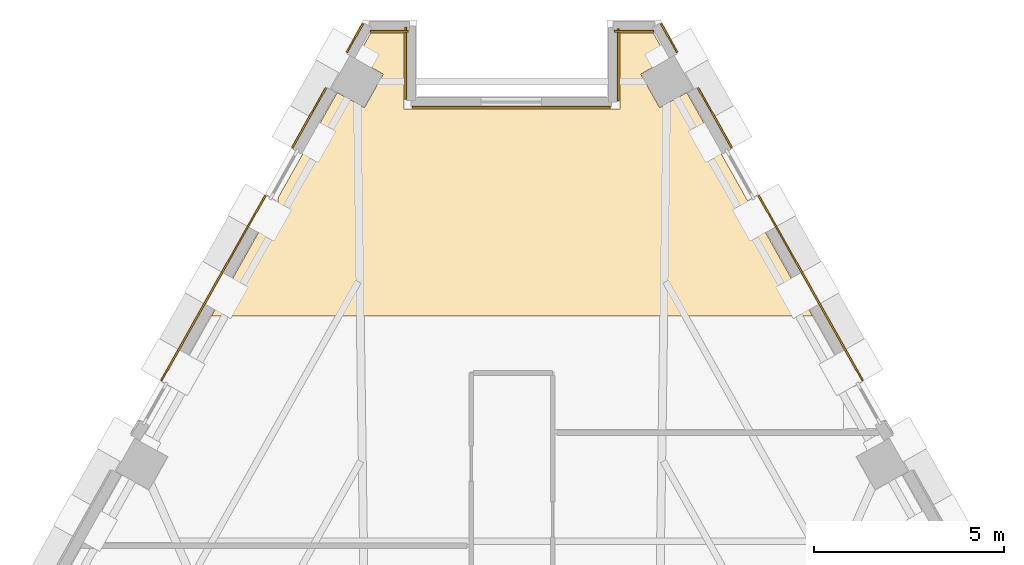
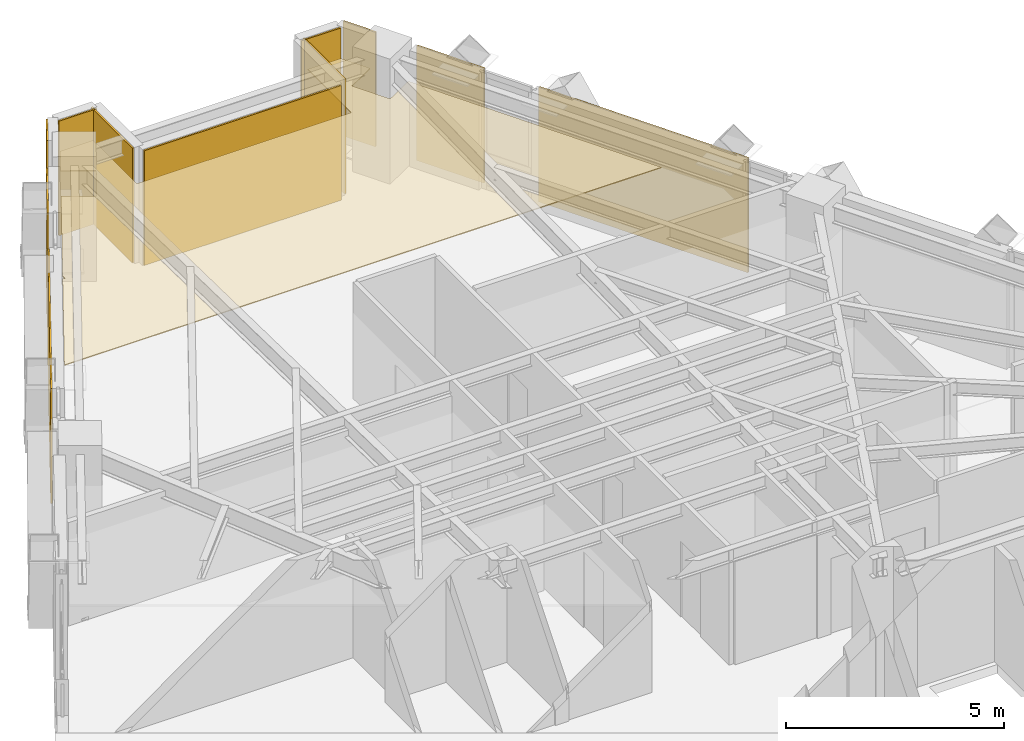
# One storey, part 14 of 14: 12 coverings.
"""IFC4 building model written with IfcOpenShell, lengths in metres."""

from ifc_helpers import new_model, si_unit, direction, frame, origin, place, context, subcontext, project, spatial, polyline, outline, extrude, material, layer, layer_set, type_object, element, save


model = new_model("IFC4")

# Units and contexts
model_context = context("Model", 3, precision=1e-05, world=origin(), true_north=direction((0.0, 1.0)))
body_context = subcontext(model_context, "Body", "Model", "MODEL_VIEW")
ifc_project = project(units=[si_unit("LENGTHUNIT", "METRE"), si_unit("AREAUNIT", "SQUARE_METRE"), si_unit("VOLUMEUNIT", "CUBIC_METRE"), si_unit("PLANEANGLEUNIT", "RADIAN"), si_unit("MASSUNIT", "GRAM", prefix="KILO")], contexts=[model_context])

# Site, building, storey
site_placement = place(None, origin())
site = spatial("IfcSite", under=ifc_project, at=site_placement, CompositionType="ELEMENT")
building_placement = place(site_placement, origin())
building = spatial("IfcBuilding", under=site, at=building_placement, Name="Quenlor Broadcast Tower", CompositionType="ELEMENT")
storey_placement = place(building_placement, frame((0.0, 0.0, 140.5)))
storey = spatial("IfcBuildingStorey", under=building, at=storey_placement, Name="L38", CompositionType="ELEMENT", Elevation=140.5)

# Coverings
ifc_material_1 = material(Name="Acoustic Mineral Fibre Board", Category="other")
ifc_layer_1 = layer(ifc_material_1, 0.02490234375)
ifc_layer_set_1 = layer_set([ifc_layer_1], Name="Acoustic Perforated Mineral Tile Ceiling 25")
covering_type_1 = type_object("IfcCoveringType", Name="Acoustic Perforated Mineral Tile Ceiling 25", PredefinedType="CEILING", material=ifc_layer_set_1)
covering_1_placement = place(storey_placement, frame((0.0, 0.0, 2.375)))
element("IfcCovering", 1, at=covering_1_placement, inside=storey, type_object=covering_type_1, Name="L38 Acoustic Ceiling L38-31-2", PredefinedType="CEILING", context=body_context, shape_type="SweptSolid", body=[
    extrude(outline(polyline([(-6.159912109375, 15.75537109375), (-4.598388671875, 18.53125), (-3.885498046875, 18.13037109375), (-3.387451171875, 19.015869140625), (-4.100341796875, 19.416748046875), (-3.71630859375, 20.10009765625), (-2.840087890625, 20.10009765625), (-2.840087890625, 18.10009765625), (2.840087890625, 18.10009765625), (2.840087890625, 20.10009765625), (3.71630859375, 20.10009765625), (4.100341796875, 19.416748046875), (3.387451171875, 19.015869140625), (3.885498046875, 18.13037109375), (4.598388671875, 18.53125), (7.90673828125, 12.64990234375), (-7.90673828125, 12.64990234375), (-6.20654296875, 15.672607421875), (-6.17333984375, 15.6474609375), (-6.159912109375, 15.6318359375), (-6.159912109375, 15.75537109375)])), origin(), (0.0, 0.0, 1.0), 0.02490234375),
])
ifc_material_2 = material(Name="Architectural Terracotta Ceramic", Category="masonry")
ifc_layer_2 = layer(ifc_material_2, 0.044921875)
ifc_layer_set_2 = layer_set([ifc_layer_2], Name="Fluted Terracotta Rainscreen Cladding Panel")
covering_type_2 = type_object("IfcCoveringType", Name="Fluted Terracotta Rainscreen Cladding Panel", PredefinedType="CLADDING", material=ifc_layer_set_2)
covering_2_placement = place(storey_placement, frame((0.0, 0.0, 0.02001953125)))
element("IfcCovering", 2, at=covering_2_placement, inside=storey, type_object=covering_type_2, Name="L38 Terracotta Rainscreen Cladding L38-SHD-NES0", PredefinedType="CLADDING", context=body_context, shape_type="SweptSolid", body=[
    extrude(outline(polyline([(3.904296875, 20.330810546875), (4.32861328125, 19.576171875), (4.367919921875, 19.59814453125), (3.943359375, 20.352783203125), (3.904296875, 20.330810546875)])), origin(), (0.0, 0.0, 1.0), 3.2099609375),
])
covering_3_placement = place(storey_placement, frame((0.0, 0.0, 0.02001953125)))
element("IfcCovering", 3, at=covering_3_placement, inside=storey, type_object=covering_type_2, Name="L38 Terracotta Rainscreen Cladding L38-NEA-SP1", PredefinedType="CLADDING", context=body_context, shape_type="SweptSolid", body=[
    extrude(outline(polyline([(4.880615234375, 18.635986328125), (5.760986328125, 17.070556640625), (5.80029296875, 17.092529296875), (4.919677734375, 18.657958984375), (4.880615234375, 18.635986328125)])), origin(), (0.0, 0.0, 1.0), 3.2099609375),
])
covering_4_placement = place(storey_placement, frame((0.0, 0.0, 0.02001953125)))
element("IfcCovering", 4, at=covering_4_placement, inside=storey, type_object=covering_type_2, Name="L38 Terracotta Rainscreen Cladding L38-NEA-SP2", PredefinedType="CLADDING", context=body_context, shape_type="SweptSolid", body=[
    extrude(outline(polyline([(6.4716796875, 15.806884765625), (9.208984375, 10.940673828125), (9.248291015625, 10.962646484375), (6.510986328125, 15.8291015625), (6.4716796875, 15.806884765625)])), origin(), (0.0, 0.0, 1.0), 3.2099609375),
])
covering_5_placement = place(storey_placement, frame((0.0, 0.0, 0.02001953125)))
element("IfcCovering", 5, at=covering_5_placement, inside=storey, type_object=covering_type_2, Name="L38 Terracotta Rainscreen Cladding L38-SHD-NWS1", PredefinedType="CLADDING", context=body_context, shape_type="SweptSolid", body=[
    extrude(outline(polyline([(-4.32861328125, 19.576171875), (-3.904296875, 20.330810546875), (-3.943359375, 20.352783203125), (-4.367919921875, 19.59814453125), (-4.32861328125, 19.576171875)])), origin(), (0.0, 0.0, 1.0), 3.2099609375),
])
covering_6_placement = place(storey_placement, frame((0.0, 0.0, 0.02001953125)))
element("IfcCovering", 6, at=covering_6_placement, inside=storey, type_object=covering_type_2, Name="L38 Terracotta Rainscreen Cladding L38-NWC-SP2", PredefinedType="CLADDING", context=body_context, shape_type="SweptSolid", body=[
    extrude(outline(polyline([(-9.208984375, 10.940673828125), (-6.4716796875, 15.806884765625), (-6.510986328125, 15.8291015625), (-9.248291015625, 10.962646484375), (-9.208984375, 10.940673828125)])), origin(), (0.0, 0.0, 1.0), 3.2099609375),
])
covering_7_placement = place(storey_placement, frame((0.0, 0.0, 0.02001953125)))
element("IfcCovering", 7, at=covering_7_placement, inside=storey, type_object=covering_type_2, Name="L38 Terracotta Rainscreen Cladding L38-NWC-SP3", PredefinedType="CLADDING", context=body_context, shape_type="SweptSolid", body=[
    extrude(outline(polyline([(-5.760986328125, 17.070556640625), (-4.880615234375, 18.635986328125), (-4.919677734375, 18.657958984375), (-5.80029296875, 17.092529296875), (-5.760986328125, 17.070556640625)])), origin(), (0.0, 0.0, 1.0), 3.2099609375),
])
covering_8_placement = place(storey_placement, frame((0.0, 0.0, 0.02001953125)))
element("IfcCovering", 8, at=covering_8_placement, inside=storey, type_object=covering_type_2, Name="L38 Terracotta Rainscreen Cladding L38-CNR-06", PredefinedType="CLADDING", context=body_context, shape_type="SweptSolid", body=[
    extrude(outline(polyline([(3.7314453125, 20.16796875), (2.68994140625, 20.16796875), (2.68994140625, 20.123046875), (3.7314453125, 20.123046875), (3.7314453125, 20.16796875)])), origin(), (0.0, 0.0, 1.0), 3.2099609375),
])
covering_9_placement = place(storey_placement, frame((0.0, 0.0, 0.02001953125)))
element("IfcCovering", 9, at=covering_9_placement, inside=storey, type_object=covering_type_2, Name="L38 Terracotta Rainscreen Cladding L38-CNR-07", PredefinedType="CLADDING", context=body_context, shape_type="SweptSolid", body=[
    extrude(outline(polyline([(2.77197265625, 20.2099609375), (2.77197265625, 18.31005859375), (2.81689453125, 18.31005859375), (2.81689453125, 20.2099609375), (2.77197265625, 20.2099609375)])), origin(), (0.0, 0.0, 1.0), 3.2099609375),
])
covering_10_placement = place(storey_placement, frame((0.0, 0.0, 0.02001953125)))
element("IfcCovering", 10, at=covering_10_placement, inside=storey, type_object=covering_type_2, Name="L38 Terracotta Rainscreen Cladding L38-CNR-08", PredefinedType="CLADDING", context=body_context, shape_type="SweptSolid", body=[
    extrude(outline(polyline([(2.590087890625, 18.16796875), (-2.6298828125, 18.16796875), (-2.6298828125, 18.123046875), (2.590087890625, 18.123046875), (2.590087890625, 18.16796875)])), origin(), (0.0, 0.0, 1.0), 3.2099609375),
])
covering_11_placement = place(storey_placement, frame((0.0, 0.0, 0.02001953125)))
element("IfcCovering", 11, at=covering_11_placement, inside=storey, type_object=covering_type_2, Name="L38 Terracotta Rainscreen Cladding L38-CNR-09", PredefinedType="CLADDING", context=body_context, shape_type="SweptSolid", body=[
    extrude(outline(polyline([(-2.77197265625, 18.35009765625), (-2.77197265625, 20.25), (-2.81689453125, 20.25), (-2.81689453125, 18.35009765625), (-2.77197265625, 18.35009765625)])), origin(), (0.0, 0.0, 1.0), 3.2099609375),
])
covering_12_placement = place(storey_placement, frame((0.0, 0.0, 0.02001953125)))
element("IfcCovering", 12, at=covering_12_placement, inside=storey, type_object=covering_type_2, Name="L38 Terracotta Rainscreen Cladding L38-CNR-10", PredefinedType="CLADDING", context=body_context, shape_type="SweptSolid", body=[
    extrude(outline(polyline([(-2.72998046875, 20.16796875), (-3.7314453125, 20.16796875), (-3.7314453125, 20.123046875), (-2.72998046875, 20.123046875), (-2.72998046875, 20.16796875)])), origin(), (0.0, 0.0, 1.0), 3.2099609375),
])

save(model, "model.ifc")
